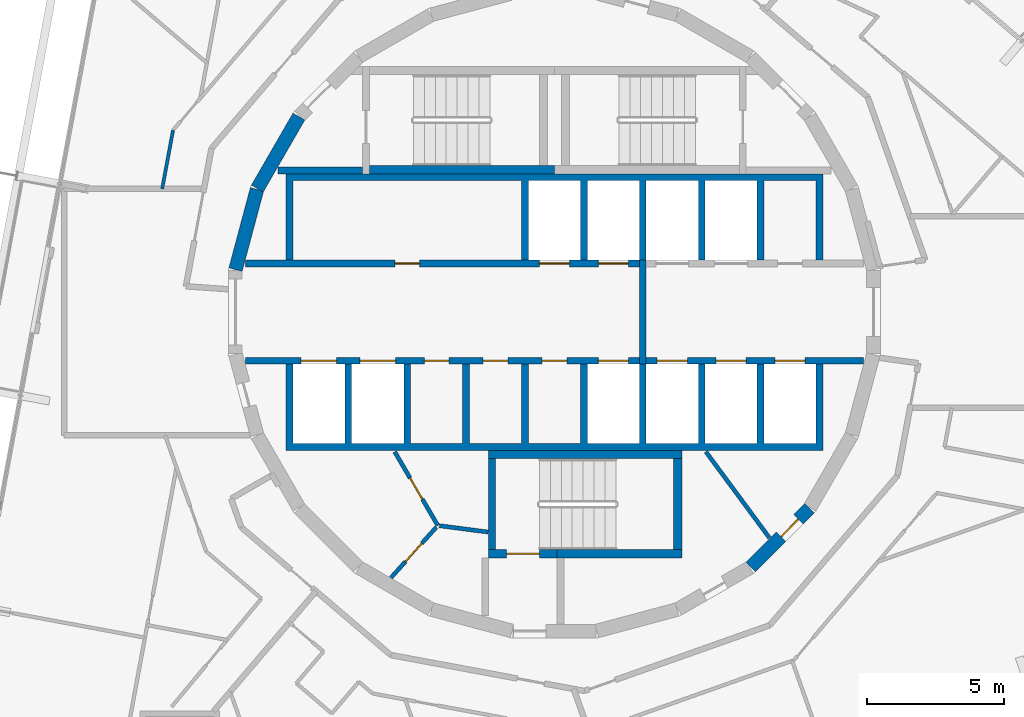
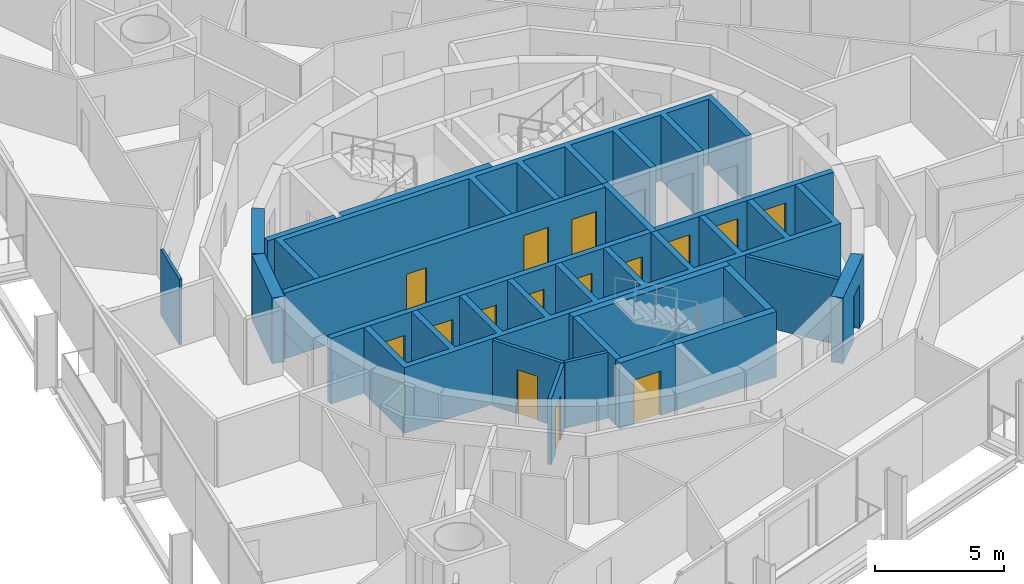
# One storey, part 12 of 17: 21 walls, 16 doors, 16 openings.
"""IFC4 building model written with IfcOpenShell, lengths in metres."""

from ifc_helpers import new_model, si_unit, direction, frame, frame_2d, origin, place, context, subcontext, project, spatial, polyline, rectangle, outline, extrude, material, layer, layer_set, type_object, element, fill, save


model = new_model("IFC4")

# Units and contexts
model_context = context("Model", 3, precision=1e-05, world=origin(), true_north=direction((0.0, 1.0)))
body_context = subcontext(model_context, "Body", "Model", "MODEL_VIEW")
ifc_project = project(units=[si_unit("LENGTHUNIT", "METRE"), si_unit("AREAUNIT", "SQUARE_METRE"), si_unit("VOLUMEUNIT", "CUBIC_METRE"), si_unit("PLANEANGLEUNIT", "RADIAN"), si_unit("MASSUNIT", "GRAM", prefix="KILO")], contexts=[model_context])

# Site, building, storey
site_placement = place(None, origin())
site = spatial("IfcSite", under=ifc_project, at=site_placement, CompositionType="ELEMENT")
building_placement = place(site_placement, origin())
building = spatial("IfcBuilding", under=site, at=building_placement, Name="Spindle Arch Residences", CompositionType="ELEMENT")
storey_placement = place(building_placement, frame((0.0, 0.0, 158.699951171875)))
storey = spatial("IfcBuildingStorey", under=building, at=storey_placement, Name="L39", CompositionType="ELEMENT", Elevation=158.699951171875)

# Wall, opening, door
ifc_material_1 = material(Name="Concrete C50/60", Category="concrete")
ifc_layer_1 = layer(ifc_material_1, 0.5)
ifc_layer_set_1 = layer_set([ifc_layer_1], Name="Core outline wall 500")
wall_type_1 = type_object("IfcWallType", Name="Core outline wall 500", PredefinedType="SHEAR", material=ifc_layer_set_1)
wall_1_placement = place(storey_placement, frame((7.163818359375, -9.30810546875, 0.0), z_axis=(0.0, 0.0, 1.0), x_axis=(0.707106781187, 0.707106781187, 0.0)))
wall_1 = element("IfcWall", 1, at=wall_1_placement, inside=storey, type_object=wall_type_1, Name="Core outline wall 3", PredefinedType="SHEAR", context=body_context, shape_type="SweptSolid", body=[
    extrude(rectangle(XDim=3.032470703125, YDim=0.5, at=frame_2d((1.51611328125, 0.0))), origin(), (0.0, 0.0, 1.0), 3.1201171875),
])
opening_1_placement = place(wall_1_placement, frame((1.56640625, 0.0, 0.0)))
opening_1 = element("IfcOpeningElement", 2, at=opening_1_placement, cuts=wall_1, Name="Opening R4A0-WD09", PredefinedType="OPENING", context=body_context, shape_type="SweptSolid", body=[
    extrude(rectangle(XDim=0.89990234375, YDim=2.10009765625, at=frame_2d((0.449951171875, 1.050048828125))), frame((0.0, 0.260009765625, 0.0), z_axis=(0.0, -1.0, 0.0), x_axis=(1.0, 0.0, 0.0)), (0.0, 0.0, 1.0), 0.52001953125),
])
ifc_material_2 = material(Name="Steel, fire-resisting door", Category="steel")
door_type_1 = type_object("IfcDoorType", Name="Service room door 900x2100", OperationType="SINGLE_SWING_LEFT", PredefinedType="DOOR", material=ifc_material_2)
door_1_placement = place(opening_1_placement, origin())
door_1 = element("IfcDoor", 3, at=door_1_placement, inside=storey, type_object=door_type_1, Name="Service room door R4A0-WD09", OperationType="SINGLE_SWING_LEFT", OverallHeight=2.10009765625, OverallWidth=0.89990234375, PredefinedType="DOOR", context=body_context, shape_type="SweptSolid", body=[
    extrude(rectangle(XDim=0.89990234375, YDim=2.10009765625, at=frame_2d((0.449951171875, 1.050048828125))), frame((0.0, 0.02490234375, 0.0), z_axis=(0.0, -1.0, 0.0), x_axis=(1.0, 0.0, 0.0)), (0.0, 0.0, 1.0), 0.050048828125),
])
fill(opening_1, door_1)

# Walls
for number, where, z_axis, x_axis, name in (
    (4, (-9.32861328125, 7.13671875, 0.0), (0.0, 0.0, 1.0), (-0.500087131594, -0.865975092491, 0.0), "Core outline wall 16"),
    (5, (-10.858154296875, 4.479248046875, 0.0), (0.0, 0.0, 1.0), (-0.258734743916, -0.965948410781, 0.0), "Core outline wall 17"),
):
    element("IfcWall", number, at=place(storey_placement, frame(where, z_axis=z_axis, x_axis=x_axis)), inside=storey, type_object=wall_type_1, Name=name, PredefinedType="SHEAR", context=body_context, shape_type="SweptSolid", body=[
        extrude(rectangle(XDim=3.03271484375, YDim=0.5, at=frame_2d((1.516357421875, 0.0))), origin(), (0.0, 0.0, 1.0), 3.1201171875),
    ])
ifc_material_3 = material(Name="Concrete C40/50", Category="concrete")
ifc_layer_2 = layer(ifc_material_3, 0.25)
ifc_layer_set_2 = layer_set([ifc_layer_2], Name="Fire-lift lobby wall 250")
wall_type_2 = type_object("IfcWallType", Name="Fire-lift lobby wall 250", PredefinedType="SHEAR", material=ifc_layer_set_2)
wall_2_placement = place(storey_placement, frame((3.22509765625, -1.89990234375, 0.0), z_axis=(0.0, 0.0, 1.0), x_axis=(0.0, 1.0, 0.0)))
element("IfcWall", 6, at=wall_2_placement, inside=storey, type_object=wall_type_2, Name="Fire-fighting lobby partition", PredefinedType="SHEAR", context=body_context, shape_type="SweptSolid", body=[
    extrude(rectangle(XDim=3.7998046875, YDim=0.25, at=frame_2d((1.89990234375, 0.0))), origin(), (0.0, 0.0, 1.0), 3.1201171875),
])

# Wall, openings, doors
ifc_material_4 = material(Name="Concrete C50/60", Category="concrete")
ifc_layer_3 = layer(ifc_material_4, 0.25)
ifc_layer_set_3 = layer_set([ifc_layer_3], Name="Fire-lift shaft wall 250")
wall_type_3 = type_object("IfcWallType", Name="Fire-lift shaft wall 250", PredefinedType="SHEAR", material=ifc_layer_set_3)
wall_3_placement = place(storey_placement, frame((3.35009765625, -1.77490234375, 0.0), z_axis=(0.0, 0.0, 1.0), x_axis=(1.0, 0.0, 0.0)))
wall_3 = element("IfcWall", 7, at=wall_3_placement, inside=storey, type_object=wall_type_3, Name="Lift shaft front wall SE", PredefinedType="SHEAR", context=body_context, shape_type="SweptSolid", body=[
    extrude(rectangle(XDim=7.929931640625, YDim=0.25, at=frame_2d((3.96484375, 0.0))), origin(), (0.0, 0.0, 1.0), 3.1201171875),
])
opening_2_placement = place(wall_3_placement, frame((0.39990234375, 0.0, 0.0)))
opening_2 = element("IfcOpeningElement", 8, at=opening_2_placement, cuts=wall_3, Name="Opening R4A0-FLD01", PredefinedType="OPENING", context=body_context, shape_type="SweptSolid", body=[
    extrude(rectangle(XDim=1.10009765625, YDim=2.39990234375, at=frame_2d((0.550048828125, 1.199951171875))), frame((0.0, 0.135009765625, 0.0), z_axis=(0.0, -1.0, 0.0), x_axis=(1.0, 0.0, 0.0)), (0.0, 0.0, 1.0), 0.27001953125),
])
opening_3_placement = place(wall_3_placement, frame((2.550048828125, 0.0, 0.0)))
opening_3 = element("IfcOpeningElement", 9, at=opening_3_placement, cuts=wall_3, Name="Opening R4A0-FLD02", PredefinedType="OPENING", context=body_context, shape_type="SweptSolid", body=[
    extrude(rectangle(XDim=1.10009765625, YDim=2.39990234375, at=frame_2d((0.550048828125, 1.199951171875))), frame((0.0, 0.135009765625, 0.0), z_axis=(0.0, -1.0, 0.0), x_axis=(1.0, 0.0, 0.0)), (0.0, 0.0, 1.0), 0.27001953125),
])
opening_4_placement = place(wall_3_placement, frame((4.699951171875, 0.0, 0.0)))
opening_4 = element("IfcOpeningElement", 10, at=opening_4_placement, cuts=wall_3, Name="Opening R4A0-FLD03", PredefinedType="OPENING", context=body_context, shape_type="SweptSolid", body=[
    extrude(rectangle(XDim=1.10009765625, YDim=2.39990234375, at=frame_2d((0.550048828125, 1.199951171875))), frame((0.0, 0.135009765625, 0.0), z_axis=(0.0, -1.0, 0.0), x_axis=(1.0, 0.0, 0.0)), (0.0, 0.0, 1.0), 0.27001953125),
])
ifc_material_5 = material(Name="Steel, fire-resisting landing door", Category="steel")
door_type_2 = type_object("IfcDoorType", Name="Fire-fighting lift landing door 1100x2400", OperationType="DOUBLE_DOOR_SLIDING", PredefinedType="DOOR", material=ifc_material_5)
door_2_placement = place(opening_2_placement, origin())
door_2 = element("IfcDoor", 11, at=door_2_placement, inside=storey, type_object=door_type_2, Name="Fire-fighting lift landing door R4A0-FLD01", OperationType="DOUBLE_DOOR_SLIDING", OverallHeight=2.39990234375, OverallWidth=1.10009765625, PredefinedType="DOOR", context=body_context, shape_type="SweptSolid", body=[
    extrude(rectangle(XDim=1.10009765625, YDim=2.39990234375, at=frame_2d((0.550048828125, 1.199951171875))), frame((0.0, 0.02490234375, 0.0), z_axis=(0.0, -1.0, 0.0), x_axis=(1.0, 0.0, 0.0)), (0.0, 0.0, 1.0), 0.050048828125),
])
fill(opening_2, door_2)
door_3_placement = place(opening_3_placement, origin())
door_3 = element("IfcDoor", 12, at=door_3_placement, inside=storey, type_object=door_type_2, Name="Fire-fighting lift landing door R4A0-FLD02", OperationType="DOUBLE_DOOR_SLIDING", OverallHeight=2.39990234375, OverallWidth=1.10009765625, PredefinedType="DOOR", context=body_context, shape_type="SweptSolid", body=[
    extrude(rectangle(XDim=1.10009765625, YDim=2.39990234375, at=frame_2d((0.550048828125, 1.199951171875))), frame((0.0, 0.02490234375, 0.0), z_axis=(0.0, -1.0, 0.0), x_axis=(1.0, 0.0, 0.0)), (0.0, 0.0, 1.0), 0.050048828125),
])
fill(opening_3, door_3)
door_4_placement = place(opening_4_placement, origin())
door_4 = element("IfcDoor", 13, at=door_4_placement, inside=storey, type_object=door_type_2, Name="Fire-fighting lift landing door R4A0-FLD03", OperationType="DOUBLE_DOOR_SLIDING", OverallHeight=2.39990234375, OverallWidth=1.10009765625, PredefinedType="DOOR", context=body_context, shape_type="SweptSolid", body=[
    extrude(rectangle(XDim=1.10009765625, YDim=2.39990234375, at=frame_2d((0.550048828125, 1.199951171875))), frame((0.0, 0.02490234375, 0.0), z_axis=(0.0, -1.0, 0.0), x_axis=(1.0, 0.0, 0.0)), (0.0, 0.0, 1.0), 0.050048828125),
])
fill(opening_4, door_4)

# Wall
ifc_material_6 = material(Name="Plasterboard on steel studs", Category="steel")
ifc_layer_4 = layer(ifc_material_6, 0.1201171875)
ifc_layer_set_4 = layer_set([ifc_layer_4], Name="Flat partition 120")
wall_type_4 = type_object("IfcWallType", Name="Flat partition 120", PredefinedType="PARTITIONING", material=ifc_layer_set_4)
wall_4_placement = place(storey_placement, frame((-13.9228515625, 6.640869140625, 0.0), z_axis=(0.0, 0.0, 1.0), x_axis=(-0.182209715759, -0.983259690765, 0.0)))
element("IfcWall", 14, at=wall_4_placement, inside=storey, type_object=wall_type_4, Name="Flat partition R4A0-W074", PredefinedType="PARTITIONING", context=body_context, shape_type="SweptSolid", body=[
    extrude(rectangle(XDim=2.17724609375, YDim=0.1201171875, at=frame_2d((1.088623046875, 0.0))), origin(), (0.0, 0.0, 1.0), 3.1201171875),
])

# Wall, openings, doors
ifc_material_7 = material(Name="Concrete C50/60", Category="concrete")
ifc_layer_5 = layer(ifc_material_7, 0.25)
ifc_layer_set_5 = layer_set([ifc_layer_5], Name="Lift shaft wall 250")
wall_type_5 = type_object("IfcWallType", Name="Lift shaft wall 250", PredefinedType="SHEAR", material=ifc_layer_set_5)
wall_5_placement = place(storey_placement, frame((-11.280029296875, 1.77490234375, 0.0), z_axis=(0.0, 0.0, 1.0), x_axis=(1.0, 0.0, 0.0)))
wall_5 = element("IfcWall", 15, at=wall_5_placement, inside=storey, type_object=wall_type_5, Name="Lift shaft front wall NW", PredefinedType="SHEAR", context=body_context, shape_type="SweptSolid", body=[
    extrude(rectangle(XDim=14.380126953125, YDim=0.25, at=frame_2d((7.18994140625, 0.0))), origin(), (0.0, 0.0, 1.0), 3.1201171875),
])
opening_5_placement = place(wall_5_placement, frame((10.72998046875, 0.0, 0.0)))
opening_5 = element("IfcOpeningElement", 16, at=opening_5_placement, cuts=wall_5, Name="Opening R4A0-LD01", PredefinedType="OPENING", context=body_context, shape_type="SweptSolid", body=[
    extrude(rectangle(XDim=1.10009765625, YDim=2.10009765625, at=frame_2d((0.550048828125, 1.050048828125))), frame((0.0, 0.135009765625, 0.0), z_axis=(0.0, -1.0, 0.0), x_axis=(1.0, 0.0, 0.0)), (0.0, 0.0, 1.0), 0.27001953125),
])
opening_6_placement = place(wall_5_placement, frame((12.8798828125, 0.0, 0.0)))
opening_6 = element("IfcOpeningElement", 17, at=opening_6_placement, cuts=wall_5, Name="Opening R4A0-LD02", PredefinedType="OPENING", context=body_context, shape_type="SweptSolid", body=[
    extrude(rectangle(XDim=1.10009765625, YDim=2.10009765625, at=frame_2d((0.550048828125, 1.050048828125))), frame((0.0, 0.135009765625, 0.0), z_axis=(0.0, -1.0, 0.0), x_axis=(1.0, 0.0, 0.0)), (0.0, 0.0, 1.0), 0.27001953125),
])
opening_7_placement = place(wall_5_placement, frame((5.455078125, 0.0, 0.0)))
opening_7 = element("IfcOpeningElement", 18, at=opening_7_placement, cuts=wall_5, Name="Opening R4A0-WD01", PredefinedType="OPENING", context=body_context, shape_type="SweptSolid", body=[
    extrude(rectangle(XDim=0.89990234375, YDim=2.10009765625, at=frame_2d((0.449951171875, 1.050048828125))), frame((0.0, 0.135009765625, 0.0), z_axis=(0.0, -1.0, 0.0), x_axis=(1.0, 0.0, 0.0)), (0.0, 0.0, 1.0), 0.27001953125),
])
ifc_material_8 = material(Name="Steel, fire-resisting landing door", Category="steel")
door_type_3 = type_object("IfcDoorType", Name="Lift landing door 1100x2100", OperationType="DOUBLE_DOOR_SLIDING", PredefinedType="DOOR", material=ifc_material_8)
door_5_placement = place(opening_5_placement, origin())
door_5 = element("IfcDoor", 19, at=door_5_placement, inside=storey, type_object=door_type_3, Name="Lift landing door R4A0-LD01", OperationType="DOUBLE_DOOR_SLIDING", OverallHeight=2.10009765625, OverallWidth=1.10009765625, PredefinedType="DOOR", context=body_context, shape_type="SweptSolid", body=[
    extrude(rectangle(XDim=1.10009765625, YDim=2.10009765625, at=frame_2d((0.550048828125, 1.050048828125))), frame((0.0, 0.02490234375, 0.0), z_axis=(0.0, -1.0, 0.0), x_axis=(1.0, 0.0, 0.0)), (0.0, 0.0, 1.0), 0.050048828125),
])
fill(opening_5, door_5)
door_6_placement = place(opening_6_placement, origin())
door_6 = element("IfcDoor", 20, at=door_6_placement, inside=storey, type_object=door_type_3, Name="Lift landing door R4A0-LD02", OperationType="DOUBLE_DOOR_SLIDING", OverallHeight=2.10009765625, OverallWidth=1.10009765625, PredefinedType="DOOR", context=body_context, shape_type="SweptSolid", body=[
    extrude(rectangle(XDim=1.10009765625, YDim=2.10009765625, at=frame_2d((0.550048828125, 1.050048828125))), frame((0.0, 0.02490234375, 0.0), z_axis=(0.0, -1.0, 0.0), x_axis=(1.0, 0.0, 0.0)), (0.0, 0.0, 1.0), 0.050048828125),
])
fill(opening_6, door_6)
door_7_placement = place(opening_7_placement, origin())
door_7 = element("IfcDoor", 21, at=door_7_placement, inside=storey, type_object=door_type_1, Name="Service room door R4A0-WD01", OperationType="SINGLE_SWING_LEFT", OverallHeight=2.10009765625, OverallWidth=0.89990234375, PredefinedType="DOOR", context=body_context, shape_type="SweptSolid", body=[
    extrude(rectangle(XDim=0.89990234375, YDim=2.10009765625, at=frame_2d((0.449951171875, 1.050048828125))), frame((0.0, 0.02490234375, 0.0), z_axis=(0.0, -1.0, 0.0), x_axis=(1.0, 0.0, 0.0)), (0.0, 0.0, 1.0), 0.050048828125),
])
fill(opening_7, door_7)

wall_6_placement = place(storey_placement, frame((-11.280029296875, -1.77490234375, 0.0), z_axis=(0.0, 0.0, 1.0), x_axis=(1.0, 0.0, 0.0)))
wall_6 = element("IfcWall", 22, at=wall_6_placement, inside=storey, type_object=wall_type_5, Name="Lift shaft front wall SW", PredefinedType="SHEAR", context=body_context, shape_type="SweptSolid", body=[
    extrude(rectangle(XDim=14.380126953125, YDim=0.25, at=frame_2d((7.18994140625, 0.0))), origin(), (0.0, 0.0, 1.0), 3.1201171875),
])
opening_8_placement = place(wall_6_placement, frame((2.030029296875, 0.0, 0.0)))
opening_8 = element("IfcOpeningElement", 23, at=opening_8_placement, cuts=wall_6, Name="Opening R4A0-XLD01", PredefinedType="OPENING", context=body_context, shape_type="SweptSolid", body=[
    extrude(rectangle(XDim=1.300048828125, YDim=2.10009765625, at=frame_2d((0.64990234375, 1.050048828125))), frame((0.0, 0.135009765625, 0.0), z_axis=(0.0, -1.0, 0.0), x_axis=(1.0, 0.0, 0.0)), (0.0, 0.0, 1.0), 0.27001953125),
])
opening_9_placement = place(wall_6_placement, frame((4.179931640625, 0.0, 0.0)))
opening_9 = element("IfcOpeningElement", 24, at=opening_9_placement, cuts=wall_6, Name="Opening R4A0-XLD02", PredefinedType="OPENING", context=body_context, shape_type="SweptSolid", body=[
    extrude(rectangle(XDim=1.300048828125, YDim=2.10009765625, at=frame_2d((0.64990234375, 1.050048828125))), frame((0.0, 0.135009765625, 0.0), z_axis=(0.0, -1.0, 0.0), x_axis=(1.0, 0.0, 0.0)), (0.0, 0.0, 1.0), 0.27001953125),
])
opening_10_placement = place(wall_6_placement, frame((12.8798828125, 0.0, 0.0)))
opening_10 = element("IfcOpeningElement", 25, at=opening_10_placement, cuts=wall_6, Name="Opening R4A0-LD03", PredefinedType="OPENING", context=body_context, shape_type="SweptSolid", body=[
    extrude(rectangle(XDim=1.10009765625, YDim=2.10009765625, at=frame_2d((0.550048828125, 1.050048828125))), frame((0.0, 0.135009765625, 0.0), z_axis=(0.0, -1.0, 0.0), x_axis=(1.0, 0.0, 0.0)), (0.0, 0.0, 1.0), 0.27001953125),
])
opening_11_placement = place(wall_6_placement, frame((6.530029296875, 0.0, 0.0)))
opening_11 = element("IfcOpeningElement", 26, at=opening_11_placement, cuts=wall_6, Name="Opening R4A0-WD03", PredefinedType="OPENING", context=body_context, shape_type="SweptSolid", body=[
    extrude(rectangle(XDim=0.89990234375, YDim=2.10009765625, at=frame_2d((0.449951171875, 1.050048828125))), frame((0.0, 0.135009765625, 0.0), z_axis=(0.0, -1.0, 0.0), x_axis=(1.0, 0.0, 0.0)), (0.0, 0.0, 1.0), 0.27001953125),
])
opening_12_placement = place(wall_6_placement, frame((8.679931640625, 0.0, 0.0)))
opening_12 = element("IfcOpeningElement", 27, at=opening_12_placement, cuts=wall_6, Name="Opening R4A0-WD04", PredefinedType="OPENING", context=body_context, shape_type="SweptSolid", body=[
    extrude(rectangle(XDim=0.89990234375, YDim=2.10009765625, at=frame_2d((0.449951171875, 1.050048828125))), frame((0.0, 0.135009765625, 0.0), z_axis=(0.0, -1.0, 0.0), x_axis=(1.0, 0.0, 0.0)), (0.0, 0.0, 1.0), 0.27001953125),
])
opening_13_placement = place(wall_6_placement, frame((10.830078125, 0.0, 0.0)))
opening_13 = element("IfcOpeningElement", 28, at=opening_13_placement, cuts=wall_6, Name="Opening R4A0-WD05", PredefinedType="OPENING", context=body_context, shape_type="SweptSolid", body=[
    extrude(rectangle(XDim=0.89990234375, YDim=2.10009765625, at=frame_2d((0.449951171875, 1.050048828125))), frame((0.0, 0.135009765625, 0.0), z_axis=(0.0, -1.0, 0.0), x_axis=(1.0, 0.0, 0.0)), (0.0, 0.0, 1.0), 0.27001953125),
])
ifc_material_9 = material(Name="Steel, fire-resisting landing door", Category="steel")
door_type_4 = type_object("IfcDoorType", Name="Express shuttle landing door 1300x2100", OperationType="DOUBLE_DOOR_SLIDING", PredefinedType="DOOR", material=ifc_material_9)
door_8_placement = place(opening_8_placement, origin())
door_8 = element("IfcDoor", 29, at=door_8_placement, inside=storey, type_object=door_type_4, Name="Express shuttle landing door R4A0-XLD01", OperationType="DOUBLE_DOOR_SLIDING", OverallHeight=2.10009765625, OverallWidth=1.300048828125, PredefinedType="DOOR", context=body_context, shape_type="SweptSolid", body=[
    extrude(rectangle(XDim=1.300048828125, YDim=2.10009765625, at=frame_2d((0.64990234375, 1.050048828125))), frame((0.0, 0.02490234375, 0.0), z_axis=(0.0, -1.0, 0.0), x_axis=(1.0, 0.0, 0.0)), (0.0, 0.0, 1.0), 0.050048828125),
])
fill(opening_8, door_8)
door_9_placement = place(opening_9_placement, origin())
door_9 = element("IfcDoor", 30, at=door_9_placement, inside=storey, type_object=door_type_4, Name="Express shuttle landing door R4A0-XLD02", OperationType="DOUBLE_DOOR_SLIDING", OverallHeight=2.10009765625, OverallWidth=1.300048828125, PredefinedType="DOOR", context=body_context, shape_type="SweptSolid", body=[
    extrude(rectangle(XDim=1.300048828125, YDim=2.10009765625, at=frame_2d((0.64990234375, 1.050048828125))), frame((0.0, 0.02490234375, 0.0), z_axis=(0.0, -1.0, 0.0), x_axis=(1.0, 0.0, 0.0)), (0.0, 0.0, 1.0), 0.050048828125),
])
fill(opening_9, door_9)
door_10_placement = place(opening_10_placement, origin())
door_10 = element("IfcDoor", 31, at=door_10_placement, inside=storey, type_object=door_type_3, Name="Lift landing door R4A0-LD03", OperationType="DOUBLE_DOOR_SLIDING", OverallHeight=2.10009765625, OverallWidth=1.10009765625, PredefinedType="DOOR", context=body_context, shape_type="SweptSolid", body=[
    extrude(rectangle(XDim=1.10009765625, YDim=2.10009765625, at=frame_2d((0.550048828125, 1.050048828125))), frame((0.0, 0.02490234375, 0.0), z_axis=(0.0, -1.0, 0.0), x_axis=(1.0, 0.0, 0.0)), (0.0, 0.0, 1.0), 0.050048828125),
])
fill(opening_10, door_10)
door_11_placement = place(opening_11_placement, origin())
door_11 = element("IfcDoor", 32, at=door_11_placement, inside=storey, type_object=door_type_1, Name="Service room door R4A0-WD03", OperationType="SINGLE_SWING_LEFT", OverallHeight=2.10009765625, OverallWidth=0.89990234375, PredefinedType="DOOR", context=body_context, shape_type="SweptSolid", body=[
    extrude(rectangle(XDim=0.89990234375, YDim=2.10009765625, at=frame_2d((0.449951171875, 1.050048828125))), frame((0.0, 0.02490234375, 0.0), z_axis=(0.0, -1.0, 0.0), x_axis=(1.0, 0.0, 0.0)), (0.0, 0.0, 1.0), 0.050048828125),
])
fill(opening_11, door_11)
door_12_placement = place(opening_12_placement, origin())
door_12 = element("IfcDoor", 33, at=door_12_placement, inside=storey, type_object=door_type_1, Name="Service room door R4A0-WD04", OperationType="SINGLE_SWING_RIGHT", OverallHeight=2.10009765625, OverallWidth=0.89990234375, PredefinedType="DOOR", context=body_context, shape_type="SweptSolid", body=[
    extrude(rectangle(XDim=0.89990234375, YDim=2.10009765625, at=frame_2d((0.449951171875, 1.050048828125))), frame((0.0, 0.02490234375, 0.0), z_axis=(0.0, -1.0, 0.0), x_axis=(1.0, 0.0, 0.0)), (0.0, 0.0, 1.0), 0.050048828125),
])
fill(opening_12, door_12)
door_13_placement = place(opening_13_placement, origin())
door_13 = element("IfcDoor", 34, at=door_13_placement, inside=storey, type_object=door_type_1, Name="Service room door R4A0-WD05", OperationType="SINGLE_SWING_LEFT", OverallHeight=2.10009765625, OverallWidth=0.89990234375, PredefinedType="DOOR", context=body_context, shape_type="SweptSolid", body=[
    extrude(rectangle(XDim=0.89990234375, YDim=2.10009765625, at=frame_2d((0.449951171875, 1.050048828125))), frame((0.0, 0.02490234375, 0.0), z_axis=(0.0, -1.0, 0.0), x_axis=(1.0, 0.0, 0.0)), (0.0, 0.0, 1.0), 0.050048828125),
])
fill(opening_13, door_13)

# Walls
ifc_material_10 = material(Name="Concrete C50/60", Category="concrete")
wall_type_6 = type_object("IfcWallType", Name="Lift shaft wall profile", PredefinedType="SHEAR", material=ifc_material_10)
wall_7_placement = place(storey_placement, origin())
element("IfcWall", 35, at=wall_7_placement, inside=storey, type_object=wall_type_6, Name="Lift shaft walls N", PredefinedType="SHEAR", context=body_context, shape_type="SweptSolid", body=[
    extrude(outline(polyline([(-9.550048828125, 4.800048828125), (-1.199951171875, 4.800048828125), (-1.199951171875, 1.89990234375), (-0.949951171875, 1.89990234375), (-0.949951171875, 4.800048828125), (0.949951171875, 4.800048828125), (0.949951171875, 1.89990234375), (1.199951171875, 1.89990234375), (1.199951171875, 4.800048828125), (3.10009765625, 4.800048828125), (3.10009765625, 1.89990234375), (3.35009765625, 1.89990234375), (3.35009765625, 4.800048828125), (5.25, 4.800048828125), (5.25, 1.89990234375), (5.5, 1.89990234375), (5.5, 4.800048828125), (7.39990234375, 4.800048828125), (7.39990234375, 1.89990234375), (7.64990234375, 1.89990234375), (7.64990234375, 4.800048828125), (9.550048828125, 4.800048828125), (9.550048828125, 1.89990234375), (9.800048828125, 1.89990234375), (9.800048828125, 4.800048828125), (9.800048828125, 5.050048828125), (-9.800048828125, 5.050048828125), (-9.800048828125, 4.800048828125), (-9.800048828125, 1.89990234375), (-9.550048828125, 1.89990234375), (-9.550048828125, 4.800048828125)])), origin(), (0.0, 0.0, 1.0), 3.1201171875),
])
wall_8_placement = place(storey_placement, origin())
element("IfcWall", 36, at=wall_8_placement, inside=storey, type_object=wall_type_6, Name="Lift shaft walls S", PredefinedType="SHEAR", context=body_context, shape_type="SweptSolid", body=[
    extrude(outline(polyline([(9.800048828125, -5.050048828125), (9.800048828125, -4.800048828125), (9.800048828125, -1.89990234375), (9.550048828125, -1.89990234375), (9.550048828125, -4.800048828125), (7.64990234375, -4.800048828125), (7.64990234375, -1.89990234375), (7.39990234375, -1.89990234375), (7.39990234375, -4.800048828125), (5.5, -4.800048828125), (5.5, -1.89990234375), (5.25, -1.89990234375), (5.25, -4.800048828125), (3.35009765625, -4.800048828125), (3.35009765625, -1.89990234375), (3.10009765625, -1.89990234375), (3.10009765625, -4.800048828125), (1.199951171875, -4.800048828125), (1.199951171875, -1.89990234375), (0.949951171875, -1.89990234375), (0.949951171875, -4.800048828125), (-0.949951171875, -4.800048828125), (-0.949951171875, -1.89990234375), (-1.199951171875, -1.89990234375), (-1.199951171875, -4.800048828125), (-3.10009765625, -4.800048828125), (-3.10009765625, -1.89990234375), (-3.35009765625, -1.89990234375), (-3.35009765625, -4.800048828125), (-5.25, -4.800048828125), (-5.25, -1.89990234375), (-5.5, -1.89990234375), (-5.5, -4.800048828125), (-7.39990234375, -4.800048828125), (-7.39990234375, -1.89990234375), (-7.64990234375, -1.89990234375), (-7.64990234375, -4.800048828125), (-9.550048828125, -4.800048828125), (-9.550048828125, -1.89990234375), (-9.800048828125, -1.89990234375), (-9.800048828125, -4.800048828125), (-9.800048828125, -5.050048828125), (9.800048828125, -5.050048828125)])), origin(), (0.0, 0.0, 1.0), 3.1201171875),
])
ifc_material_11 = material(Name="Concrete C25/30", Category="concrete")
ifc_layer_6 = layer(ifc_material_11, 0.14990234375)
ifc_layer_set_6 = layer_set([ifc_layer_6], Name="Service room partition 150")
wall_type_7 = type_object("IfcWallType", Name="Service room partition 150", PredefinedType="PARTITIONING", material=ifc_layer_set_6)
wall_9_placement = place(storey_placement, frame((5.528076171875, -5.098388671875, 0.0), z_axis=(0.0, 0.0, 1.0), x_axis=(0.594034318069, -0.804439698769, 0.0)))
element("IfcWall", 37, at=wall_9_placement, inside=storey, type_object=wall_type_7, Name="Core service room partition", PredefinedType="PARTITIONING", context=body_context, shape_type="SweptSolid", body=[
    extrude(rectangle(XDim=3.90673828125, YDim=0.14990234375, at=frame_2d((1.953369140625, 0.0))), origin(), (0.0, 0.0, 1.0), 3.1201171875),
])

# Wall, opening, door
wall_10_placement = place(storey_placement, frame((-5.8291015625, -5.101806640625, 0.0), z_axis=(0.0, 0.0, 1.0), x_axis=(0.504480008384, -0.863423373057, 0.0)))
wall_10 = element("IfcWall", 38, at=wall_10_placement, inside=storey, type_object=wall_type_7, Name="Core service room partition", PredefinedType="PARTITIONING", context=body_context, shape_type="SweptSolid", body=[
    extrude(rectangle(XDim=3.115234375, YDim=0.14990234375, at=frame_2d((1.5576171875, 0.0))), origin(), (0.0, 0.0, 1.0), 3.1201171875),
])
opening_14_placement = place(wall_10_placement, frame((1.107421875, 0.0, 0.0)))
opening_14 = element("IfcOpeningElement", 39, at=opening_14_placement, cuts=wall_10, Name="Opening R4A0-WD07", PredefinedType="OPENING", context=body_context, shape_type="SweptSolid", body=[
    extrude(rectangle(XDim=0.89990234375, YDim=2.10009765625, at=frame_2d((0.449951171875, 1.050048828125))), frame((0.0, 0.0849609375, 0.0), z_axis=(0.0, -1.0, 0.0), x_axis=(1.0, 0.0, 0.0)), (0.0, 0.0, 1.0), 0.169921875),
])
door_14_placement = place(opening_14_placement, origin())
door_14 = element("IfcDoor", 40, at=door_14_placement, inside=storey, type_object=door_type_1, Name="Service room door R4A0-WD07", OperationType="SINGLE_SWING_LEFT", OverallHeight=2.10009765625, OverallWidth=0.89990234375, PredefinedType="DOOR", context=body_context, shape_type="SweptSolid", body=[
    extrude(rectangle(XDim=0.89990234375, YDim=2.10009765625, at=frame_2d((0.449951171875, 1.050048828125))), frame((0.0, 0.02490234375, 0.0), z_axis=(0.0, -1.0, 0.0), x_axis=(1.0, 0.0, 0.0)), (0.0, 0.0, 1.0), 0.050048828125),
])
fill(opening_14, door_14)

wall_11_placement = place(storey_placement, frame((-4.310791015625, -7.85107421875, 0.0), z_axis=(0.0, 0.0, 1.0), x_axis=(-0.667869133096, -0.744278725383, 0.0)))
wall_11 = element("IfcWall", 41, at=wall_11_placement, inside=storey, type_object=wall_type_7, Name="Core service room partition", PredefinedType="PARTITIONING", context=body_context, shape_type="SweptSolid", body=[
    extrude(rectangle(XDim=2.476318359375, YDim=0.14990234375, at=frame_2d((1.23828125, 0.0))), origin(), (0.0, 0.0, 1.0), 3.1201171875),
])
opening_15_placement = place(wall_11_placement, frame((0.7880859375, 0.0, 0.0)))
opening_15 = element("IfcOpeningElement", 42, at=opening_15_placement, cuts=wall_11, Name="Opening R4A0-WD06", PredefinedType="OPENING", context=body_context, shape_type="SweptSolid", body=[
    extrude(rectangle(XDim=0.89990234375, YDim=2.10009765625, at=frame_2d((0.449951171875, 1.050048828125))), frame((0.0, 0.0849609375, 0.0), z_axis=(0.0, -1.0, 0.0), x_axis=(1.0, 0.0, 0.0)), (0.0, 0.0, 1.0), 0.169921875),
])
door_15_placement = place(opening_15_placement, origin())
door_15 = element("IfcDoor", 43, at=door_15_placement, inside=storey, type_object=door_type_1, Name="Service room door R4A0-WD06", OperationType="SINGLE_SWING_RIGHT", OverallHeight=2.10009765625, OverallWidth=0.89990234375, PredefinedType="DOOR", context=body_context, shape_type="SweptSolid", body=[
    extrude(rectangle(XDim=0.89990234375, YDim=2.10009765625, at=frame_2d((0.449951171875, 1.050048828125))), frame((0.0, 0.02490234375, 0.0), z_axis=(0.0, -1.0, 0.0), x_axis=(1.0, 0.0, 0.0)), (0.0, 0.0, 1.0), 0.050048828125),
])
fill(opening_15, door_15)

# Walls
wall_12_placement = place(storey_placement, frame((-4.197998046875, -7.79931640625, 0.0), z_axis=(0.0, 0.0, 1.0), x_axis=(0.991686747293, -0.128675542523, 0.0)))
element("IfcWall", 44, at=wall_12_placement, inside=storey, type_object=wall_type_7, Name="Core service room partition", PredefinedType="PARTITIONING", context=body_context, shape_type="SweptSolid", body=[
    extrude(rectangle(XDim=1.79296875, YDim=0.14990234375, at=frame_2d((0.896484375, 0.0))), origin(), (0.0, 0.0, 1.0), 3.1201171875),
])
ifc_material_12 = material(Name="Concrete C40/50", Category="concrete")
ifc_layer_7 = layer(ifc_material_12, 0.25)
ifc_layer_set_7 = layer_set([ifc_layer_7], Name="Stair airlock wall 250")
wall_type_8 = type_object("IfcWallType", Name="Stair airlock wall 250", PredefinedType="SHEAR", material=ifc_layer_set_7)
wall_13_placement = place(storey_placement, frame((-7.0, 5.175048828125, 0.0), z_axis=(0.0, 0.0, 1.0), x_axis=(-1.0, 0.0, 0.0)))
element("IfcWall", 45, at=wall_13_placement, inside=storey, type_object=wall_type_8, Name="Stair ST-2 airlock wall S", PredefinedType="SHEAR", context=body_context, shape_type="SweptSolid", body=[
    extrude(rectangle(XDim=3.10009765625, YDim=0.25, at=frame_2d((1.550048828125, 0.0))), origin(), (0.0, 0.0, 1.0), 3.1201171875),
])
ifc_material_13 = material(Name="Concrete C50/60", Category="concrete")
ifc_layer_8 = layer(ifc_material_13, 0.25)
ifc_layer_set_8 = layer_set([ifc_layer_8], Name="Stair enclosure wall 250")
wall_type_9 = type_object("IfcWallType", Name="Stair enclosure wall 250", PredefinedType="SHEAR", material=ifc_layer_set_8)
wall_14_placement = place(storey_placement, frame((-2.27490234375, -8.669921875, 0.0), z_axis=(0.0, 0.0, 1.0), x_axis=(0.0, 1.0, 0.0)))
element("IfcWall", 46, at=wall_14_placement, inside=storey, type_object=wall_type_9, Name="Stair ST-3 enclosure wall W", PredefinedType="SHEAR", context=body_context, shape_type="SweptSolid", body=[
    extrude(rectangle(XDim=3.31982421875, YDim=0.25, at=frame_2d((1.659912109375, 0.0))), origin(), (0.0, 0.0, 1.0), 3.1201171875),
])
ifc_material_14 = material(Name="Concrete C50/60", Category="concrete")
ifc_layer_9 = layer(ifc_material_14, 0.300048828125)
ifc_layer_set_9 = layer_set([ifc_layer_9], Name="Stair enclosure wall 300")
wall_type_10 = type_object("IfcWallType", Name="Stair enclosure wall 300", PredefinedType="SHEAR", material=ifc_layer_set_9)
wall_15_placement = place(storey_placement, frame((-6.75, 5.199951171875, 0.0), z_axis=(0.0, 0.0, 1.0), x_axis=(1.0, 0.0, 0.0)))
element("IfcWall", 47, at=wall_15_placement, inside=storey, type_object=wall_type_10, Name="Stair ST-2 enclosure wall S", PredefinedType="SHEAR", context=body_context, shape_type="SweptSolid", body=[
    extrude(rectangle(XDim=6.75, YDim=0.300048828125, at=frame_2d((3.375, 0.0))), origin(), (0.0, 0.0, 1.0), 3.1201171875),
])
wall_16_placement = place(storey_placement, frame((-2.39990234375, -5.199951171875, 0.0), z_axis=(0.0, 0.0, 1.0), x_axis=(1.0, 0.0, 0.0)))
element("IfcWall", 48, at=wall_16_placement, inside=storey, type_object=wall_type_10, Name="Stair ST-3 enclosure wall N", PredefinedType="SHEAR", context=body_context, shape_type="SweptSolid", body=[
    extrude(rectangle(XDim=7.0498046875, YDim=0.300048828125, at=frame_2d((3.52490234375, 0.0))), origin(), (0.0, 0.0, 1.0), 3.1201171875),
])
wall_17_placement = place(storey_placement, frame((4.5, -8.669921875, 0.0), z_axis=(0.0, 0.0, 1.0), x_axis=(0.0, 1.0, 0.0)))
element("IfcWall", 49, at=wall_17_placement, inside=storey, type_object=wall_type_10, Name="Stair ST-3 enclosure wall E", PredefinedType="SHEAR", context=body_context, shape_type="SweptSolid", body=[
    extrude(rectangle(XDim=3.31982421875, YDim=0.300048828125, at=frame_2d((1.659912109375, 0.0))), origin(), (0.0, 0.0, 1.0), 3.1201171875),
])
wall_18_placement = place(storey_placement, frame((0.10009765625, -8.820068359375, 0.0), z_axis=(0.0, 0.0, 1.0), x_axis=(1.0, 0.0, 0.0)))
element("IfcWall", 50, at=wall_18_placement, inside=storey, type_object=wall_type_10, Name="Stair ST-3 enclosure wall S", PredefinedType="SHEAR", context=body_context, shape_type="SweptSolid", body=[
    extrude(rectangle(XDim=4.5498046875, YDim=0.300048828125, at=frame_2d((2.27490234375, 0.0))), origin(), (0.0, 0.0, 1.0), 3.1201171875),
])

# Wall, opening, door
wall_19_placement = place(storey_placement, frame((-2.39990234375, -8.820068359375, 0.0), z_axis=(0.0, 0.0, 1.0), x_axis=(1.0, 0.0, 0.0)))
wall_19 = element("IfcWall", 51, at=wall_19_placement, inside=storey, type_object=wall_type_10, Name="Stair ST-3 door wall", PredefinedType="SHEAR", context=body_context, shape_type="SweptSolid", body=[
    extrude(rectangle(XDim=2.5, YDim=0.300048828125, at=frame_2d((1.25, 0.0))), origin(), (0.0, 0.0, 1.0), 3.1201171875),
])
opening_16_placement = place(wall_19_placement, frame((0.64990234375, 0.0, 0.0)))
opening_16 = element("IfcOpeningElement", 52, at=opening_16_placement, cuts=wall_19, Name="Opening R4A0-SD03", PredefinedType="OPENING", context=body_context, shape_type="SweptSolid", body=[
    extrude(rectangle(XDim=1.199951171875, YDim=2.10009765625, at=frame_2d((0.60009765625, 1.050048828125))), frame((0.0, 0.16015625, 0.0), z_axis=(0.0, -1.0, 0.0), x_axis=(1.0, 0.0, 0.0)), (0.0, 0.0, 1.0), 0.320068359375),
])
ifc_material_15 = material(Name="Steel, fire-resisting door", Category="steel")
door_type_5 = type_object("IfcDoorType", Name="Stair door 1200x2100", OperationType="SINGLE_SWING_RIGHT", PredefinedType="DOOR", material=ifc_material_15)
door_16_placement = place(opening_16_placement, origin())
door_16 = element("IfcDoor", 53, at=door_16_placement, inside=storey, type_object=door_type_5, Name="Stair door R4A0-SD03", OperationType="SINGLE_SWING_LEFT", OverallHeight=2.10009765625, OverallWidth=1.199951171875, PredefinedType="DOOR", context=body_context, shape_type="SweptSolid", body=[
    extrude(rectangle(XDim=1.199951171875, YDim=2.10009765625, at=frame_2d((0.60009765625, 1.050048828125))), frame((0.0, 0.02490234375, 0.0), z_axis=(0.0, -1.0, 0.0), x_axis=(1.0, 0.0, 0.0)), (0.0, 0.0, 1.0), 0.050048828125),
])
fill(opening_16, door_16)

save(model, "model.ifc")
